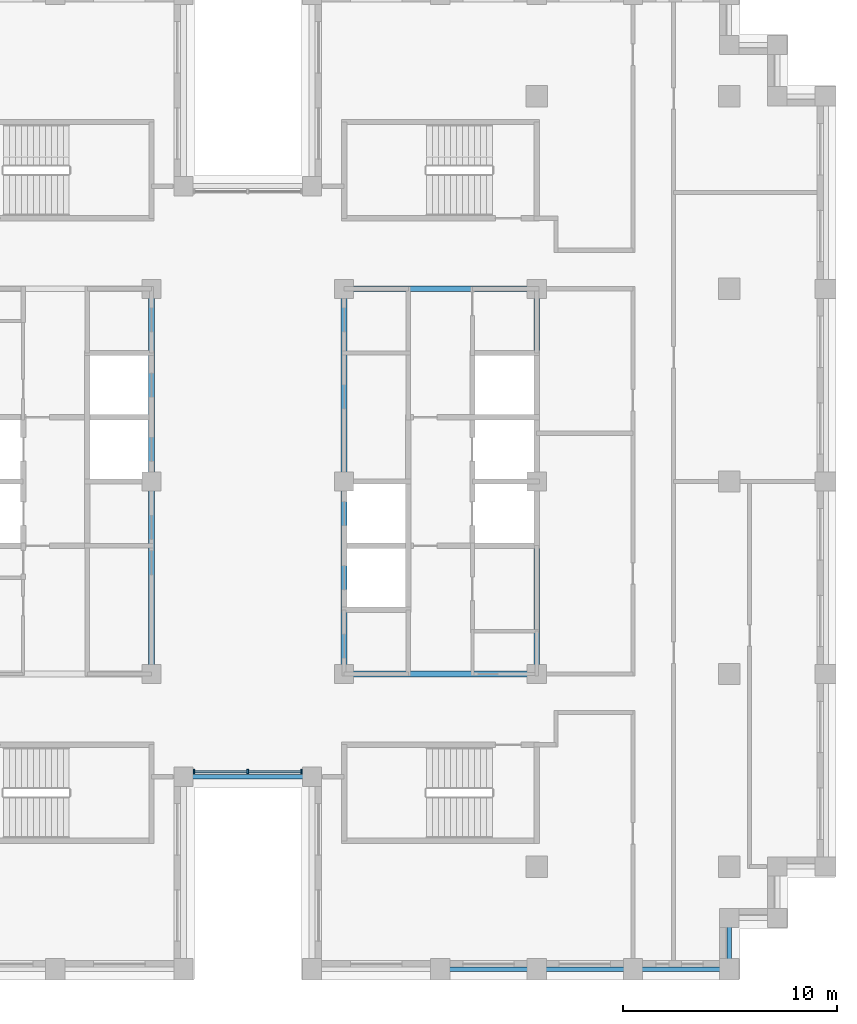
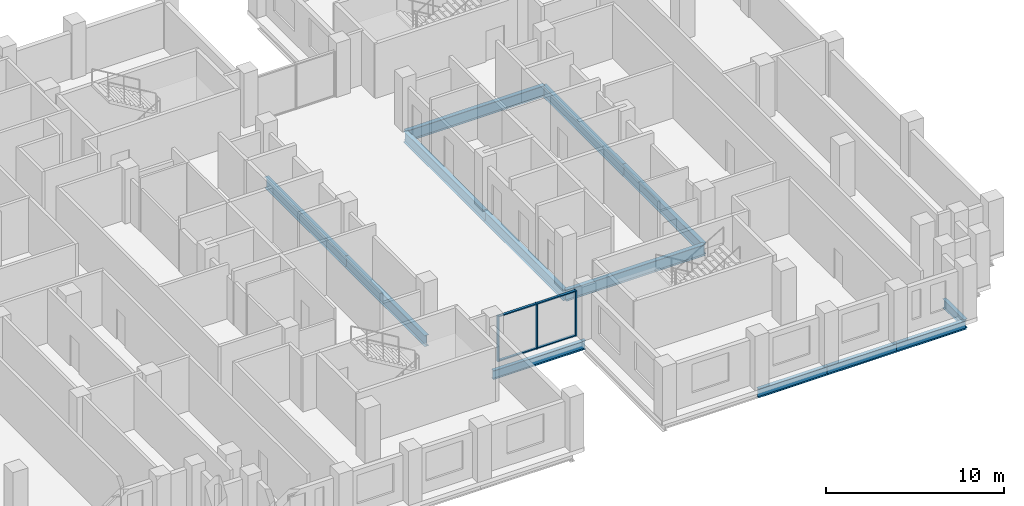
# One storey, part 2 of 15: 13 beams, 7 members, 1 element without a shape of its own.
"""IFC4 building model written with IfcOpenShell, lengths in metres."""

from ifc_helpers import new_model, si_unit, direction, frame, origin, origin_2d, place, context, subcontext, project, spatial, rectangle, i_section, extrude, material, layer, layer_set, material_profile, profile_set, type_object, element, aggregate, save


model = new_model("IFC4")

# Units and contexts
model_context = context("Model", 3, precision=1e-05, world=origin(), true_north=direction((0.0, 1.0)))
body_context = subcontext(model_context, "Body", "Model", "MODEL_VIEW")
ifc_project = project(units=[si_unit("LENGTHUNIT", "METRE"), si_unit("AREAUNIT", "SQUARE_METRE"), si_unit("VOLUMEUNIT", "CUBIC_METRE"), si_unit("PLANEANGLEUNIT", "RADIAN"), si_unit("MASSUNIT", "GRAM", prefix="KILO")], contexts=[model_context])

# Site, building, storey
site_placement = place(None, origin())
site = spatial("IfcSite", under=ifc_project, at=site_placement, CompositionType="ELEMENT")
building_placement = place(site_placement, origin())
building = spatial("IfcBuilding", under=site, at=building_placement, Name="Corbelhall Arena Tower", CompositionType="ELEMENT")
storey_placement = place(building_placement, frame((0.0, 0.0, 224.0)))
storey = spatial("IfcBuildingStorey", under=building, at=storey_placement, Name="L47", CompositionType="ELEMENT", Elevation=224.0)

# Curtain wall, members
ifc_material_1 = material(Name="Aluminium black anodised", Category="aluminium")
ifc_layer = layer(ifc_material_1, 0.199951171875)
ifc_layer_set = layer_set([ifc_layer], Name="EV-CW1 Slot back wall")
curtain_wall_type = type_object("IfcCurtainWallType", Name="EV-CW1 Slot back wall", PredefinedType="NOTDEFINED", material=ifc_layer_set)
curtain_wall_placement = place(storey_placement, origin())
curtain_wall = element("IfcCurtainWall", 1, at=curtain_wall_placement, inside=storey, type_object=curtain_wall_type, Name="Curtain wall CW1", PredefinedType="NOTDEFINED")
ifc_material_profile_1 = material_profile(ifc_material_1, rectangle(XDim=0.199951171875, YDim=0.074951171875, at=origin_2d()))
ifc_profile_set_1 = profile_set([ifc_material_profile_1], Name="Aluminium black anodised")
member_type_1 = type_object("IfcMemberType", Name="EV-CW1-MULLION", PredefinedType="MULLION", material=ifc_profile_set_1)
member_1_placement = place(storey_placement, frame((-2.512451171875, -13.550048828125, 0.0), z_axis=(0.0, 0.0, 1.0), x_axis=(0.0, 1.0, 0.0)))
member_1 = element("IfcMember", 2, at=member_1_placement, type_object=member_type_1, Name="CW1 mullion 1", PredefinedType="MULLION", context=body_context, shape_type="SweptSolid", body=[
    extrude(rectangle(XDim=0.199951171875, YDim=0.074951171875, at=origin_2d()), origin(), (0.0, 0.0, 1.0), 3.1201171875),
])
member_2_placement = place(storey_placement, frame((0.0, -13.550048828125, 0.0), z_axis=(0.0, 0.0, 1.0), x_axis=(0.0, 1.0, 0.0)))
member_2 = element("IfcMember", 3, at=member_2_placement, type_object=member_type_1, Name="CW1 mullion 2", PredefinedType="MULLION", context=body_context, shape_type="SweptSolid", body=[
    extrude(rectangle(XDim=0.199951171875, YDim=0.074951171875, at=origin_2d()), origin(), (0.0, 0.0, 1.0), 3.1201171875),
])
member_3_placement = place(storey_placement, frame((2.512451171875, -13.550048828125, 0.0), z_axis=(0.0, 0.0, 1.0), x_axis=(0.0, 1.0, 0.0)))
member_3 = element("IfcMember", 4, at=member_3_placement, type_object=member_type_1, Name="CW1 mullion 3", PredefinedType="MULLION", context=body_context, shape_type="SweptSolid", body=[
    extrude(rectangle(XDim=0.199951171875, YDim=0.074951171875, at=origin_2d()), origin(), (0.0, 0.0, 1.0), 3.1201171875),
])
ifc_material_profile_2 = material_profile(ifc_material_1, rectangle(XDim=0.14990234375, YDim=0.074951171875, at=origin_2d()))
ifc_profile_set_2 = profile_set([ifc_material_profile_2], Name="Aluminium black anodised")
member_type_2 = type_object("IfcMemberType", Name="EV-CW1-TRANSOM", PredefinedType="USERDEFINED", material=ifc_profile_set_2)
member_4_placement = place(storey_placement, frame((-2.47509765625, -13.550048828125, 0.03759765625), z_axis=(1.0, 0.0, 0.0), x_axis=(0.0, 1.0, 0.0)))
member_4 = element("IfcMember", 5, at=member_4_placement, type_object=member_type_2, Name="CW1 transom 1.1", ObjectType="transom", PredefinedType="USERDEFINED", context=body_context, shape_type="SweptSolid", body=[
    extrude(rectangle(XDim=0.14990234375, YDim=0.074951171875, at=origin_2d()), origin(), (0.0, 0.0, 1.0), 2.4375),
])
member_5_placement = place(storey_placement, frame((-2.47509765625, -13.550048828125, 3.08251953125), z_axis=(1.0, 0.0, 0.0), x_axis=(0.0, 1.0, 0.0)))
member_5 = element("IfcMember", 6, at=member_5_placement, type_object=member_type_2, Name="CW1 transom 1.2", ObjectType="transom", PredefinedType="USERDEFINED", context=body_context, shape_type="SweptSolid", body=[
    extrude(rectangle(XDim=0.14990234375, YDim=0.074951171875, at=origin_2d()), origin(), (0.0, 0.0, 1.0), 2.4375),
])
member_6_placement = place(storey_placement, frame((0.03759765625, -13.550048828125, 0.03759765625), z_axis=(1.0, 0.0, 0.0), x_axis=(0.0, 1.0, 0.0)))
member_6 = element("IfcMember", 7, at=member_6_placement, type_object=member_type_2, Name="CW1 transom 2.1", ObjectType="transom", PredefinedType="USERDEFINED", context=body_context, shape_type="SweptSolid", body=[
    extrude(rectangle(XDim=0.14990234375, YDim=0.074951171875, at=origin_2d()), origin(), (0.0, 0.0, 1.0), 2.4375),
])
member_7_placement = place(storey_placement, frame((0.03759765625, -13.550048828125, 3.08251953125), z_axis=(1.0, 0.0, 0.0), x_axis=(0.0, 1.0, 0.0)))
member_7 = element("IfcMember", 8, at=member_7_placement, type_object=member_type_2, Name="CW1 transom 2.2", ObjectType="transom", PredefinedType="USERDEFINED", context=body_context, shape_type="SweptSolid", body=[
    extrude(rectangle(XDim=0.14990234375, YDim=0.074951171875, at=origin_2d()), origin(), (0.0, 0.0, 1.0), 2.4375),
])
aggregate(curtain_wall, [member_1, member_2, member_3, member_4, member_5, member_6, member_7])

# Beams
ifc_material_2 = material(Name="Steel ASTM A992 Gr50", Category="steel")
ifc_material_profile_3 = material_profile(ifc_material_2, i_section(OverallWidth=0.2666015625, OverallDepth=0.761962890625, WebThickness=0.014404296875, FlangeThickness=0.021484375, at=origin_2d()))
ifc_profile_set_3 = profile_set([ifc_material_profile_3], Name="Steel ASTM A992 Gr50")
beam_type_1 = type_object("IfcBeamType", Name="ST-BEAM-W30x116", PredefinedType="BEAM", material=ifc_profile_set_3)
for number, where, z_axis, x_axis, name in (
    (9, (-4.5, -9.0, -0.660888671875), (0.0, 1.0, 0.0), (-1.0, 0.0, 0.0), "Beam CEW 3"),
    (10, (-4.5, 0.0, -0.660888671875), (0.0, 1.0, 0.0), (-1.0, 0.0, 0.0), "Beam CEW 4"),
    (11, (4.5, -9.0, -0.660888671875), (0.0, 1.0, 0.0), (-1.0, 0.0, 0.0), "Beam CEE 7"),
    (12, (4.5, 0.0, -0.660888671875), (0.0, 1.0, 0.0), (-1.0, 0.0, 0.0), "Beam CEE 8"),
    (13, (13.5, -9.0, -0.660888671875), (0.0, 1.0, 0.0), (-1.0, 0.0, 0.0), "Beam CEE 9"),
    (14, (13.5, 0.0, -0.660888671875), (0.0, 1.0, 0.0), (-1.0, 0.0, 0.0), "Beam CEE 10"),
    (15, (4.5, -9.0, -0.660888671875), (1.0, 0.0, 0.0), (0.0, 1.0, 0.0), "Beam CEE 11"),
    (16, (4.5, 9.0, -0.660888671875), (1.0, 0.0, 0.0), (0.0, 1.0, 0.0), "Beam CEE 12"),
):
    element("IfcBeam", number, at=place(storey_placement, frame(where, z_axis=z_axis, x_axis=x_axis)), inside=storey, type_object=beam_type_1, Name=name, PredefinedType="BEAM", context=body_context, shape_type="SweptSolid", body=[
        extrude(i_section(OverallWidth=0.2666015625, OverallDepth=0.761962890625, WebThickness=0.014404296875, FlangeThickness=0.021484375, at=origin_2d()), origin(), (0.0, 0.0, 1.0), 9.0),
    ])
ifc_material_profile_4 = material_profile(ifc_material_2, i_section(OverallWidth=0.228271484375, OverallDepth=0.607177734375, WebThickness=0.01123046875, FlangeThickness=0.017333984375, at=origin_2d()))
ifc_profile_set_4 = profile_set([ifc_material_profile_4], Name="Steel ASTM A992 Gr50")
beam_type_2 = type_object("IfcBeamType", Name="ST-SPANDREL-W24x76", PredefinedType="SPANDREL", material=ifc_profile_set_4)
for number, where, z_axis, x_axis, name in (
    (17, (13.5, -22.800048828125, -0.58349609375), (-1.0, 0.0, 0.0), (0.0, -1.0, 0.0), "Beam SP 25"),
    (18, (18.0, -22.800048828125, -0.58349609375), (-1.0, 0.0, 0.0), (0.0, -1.0, 0.0), "Beam SP 26"),
    (19, (22.5, -22.800048828125, -0.58349609375), (-1.0, 0.0, 0.0), (0.0, -1.0, 0.0), "Beam SP 27"),
):
    element("IfcBeam", number, at=place(storey_placement, frame(where, z_axis=z_axis, x_axis=x_axis)), inside=storey, type_object=beam_type_2, Name=name, PredefinedType="SPANDREL", context=body_context, shape_type="SweptSolid", body=[
        extrude(i_section(OverallWidth=0.228271484375, OverallDepth=0.607177734375, WebThickness=0.01123046875, FlangeThickness=0.017333984375, at=origin_2d()), origin(), (0.0, 0.0, 1.0), 4.5),
    ])
beam_1_placement = place(storey_placement, frame((3.0, -13.800048828125, -0.58349609375), z_axis=(-1.0, 0.0, 0.0), x_axis=(0.0, -1.0, 0.0)))
element("IfcBeam", 20, at=beam_1_placement, inside=storey, type_object=beam_type_2, Name="Beam SP 37", PredefinedType="SPANDREL", context=body_context, shape_type="SweptSolid", body=[
    extrude(i_section(OverallWidth=0.228271484375, OverallDepth=0.607177734375, WebThickness=0.01123046875, FlangeThickness=0.017333984375, at=origin_2d()), origin(), (0.0, 0.0, 1.0), 6.0),
])
beam_2_placement = place(storey_placement, frame((22.5, -20.39990234375, -0.58349609375), z_axis=(0.0, -1.0, 0.0), x_axis=(1.0, 0.0, 0.0)))
element("IfcBeam", 21, at=beam_2_placement, inside=storey, type_object=beam_type_2, Name="Beam SP 45", PredefinedType="SPANDREL", context=body_context, shape_type="SweptSolid", body=[
    extrude(i_section(OverallWidth=0.228271484375, OverallDepth=0.607177734375, WebThickness=0.01123046875, FlangeThickness=0.017333984375, at=origin_2d()), origin(), (0.0, 0.0, 1.0), 2.400146484375),
])

save(model, "model.ifc")
